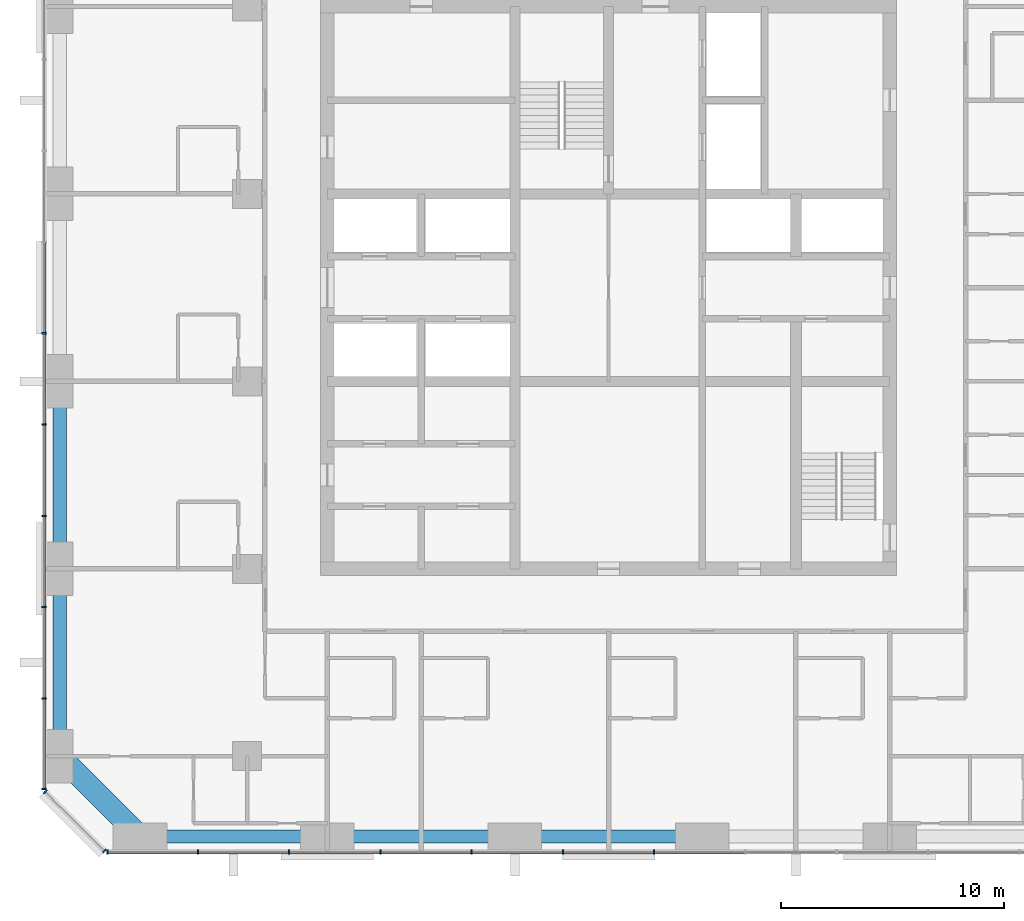
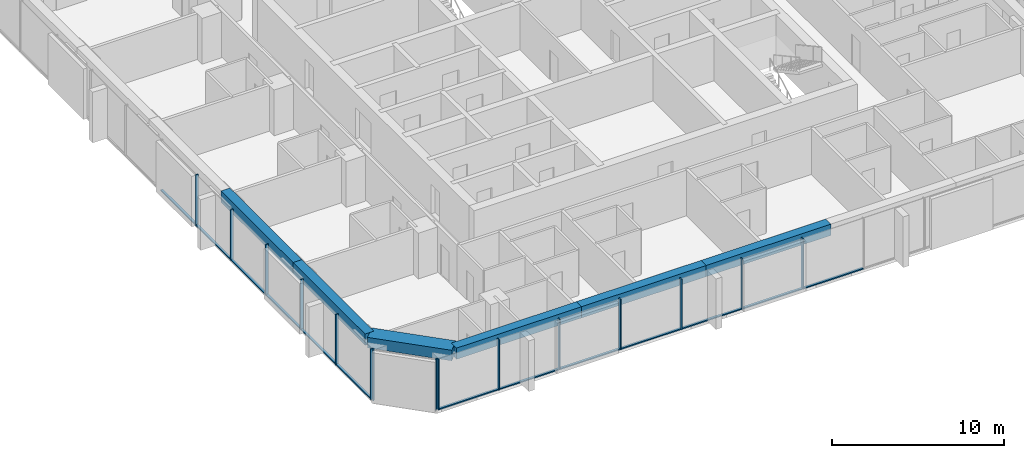
# One storey, part 2 of 13: 28 members, 6 beams, 3 elements without a shape of their own.
"""IFC4 building model written with IfcOpenShell, lengths in metres."""

from ifc_helpers import new_model, si_unit, direction, frame, origin, origin_2d, place, context, subcontext, project, spatial, rectangle, extrude, material, material_profile, profile_set, type_object, element, aggregate, save


model = new_model("IFC4")

# Units and contexts
model_context = context("Model", 3, precision=1e-05, world=origin(), true_north=direction((0.0, 1.0)))
body_context = subcontext(model_context, "Body", "Model", "MODEL_VIEW")
ifc_project = project(units=[si_unit("LENGTHUNIT", "METRE"), si_unit("AREAUNIT", "SQUARE_METRE"), si_unit("VOLUMEUNIT", "CUBIC_METRE"), si_unit("PLANEANGLEUNIT", "RADIAN"), si_unit("MASSUNIT", "GRAM", prefix="KILO")], contexts=[model_context])

# Site, building, storey
site_placement = place(None, origin())
site = spatial("IfcSite", under=ifc_project, at=site_placement, CompositionType="ELEMENT")
building_placement = place(site_placement, origin())
building = spatial("IfcBuilding", under=site, at=building_placement, Name="Dunama Terrace Hotel", CompositionType="ELEMENT")
storey_placement = place(building_placement, frame((0.0, 0.0, 187.800048828125)))
storey = spatial("IfcBuildingStorey", under=building, at=storey_placement, Name="L48", CompositionType="ELEMENT", Elevation=187.800048828125)

# Curtain wall, members
ifc_material_1 = material(Name="Aluminium curtain wall system", Category="aluminium")
curtain_wall_type = type_object("IfcCurtainWallType", Name="Unitised fritted glass wall CW-C", PredefinedType="NOTDEFINED", material=ifc_material_1)
curtain_wall_1_placement = place(storey_placement, origin())
curtain_wall_1 = element("IfcCurtainWall", 1, at=curtain_wall_1_placement, inside=storey, type_object=curtain_wall_type, Name="Unitised fritted glass wall CW-C L48", PredefinedType="NOTDEFINED")
ifc_material_2 = material(Name="Aluminium mullion", Category="aluminium")
ifc_material_profile_1 = material_profile(ifc_material_2, rectangle(XDim=0.070068359375, YDim=0.199951171875, at=origin_2d()), Name="CWC MULLION 70X200")
ifc_profile_set_1 = profile_set([ifc_material_profile_1], Name="Aluminium mullion")
member_type_1 = type_object("IfcMemberType", Name="CWC mullion 70x200", PredefinedType="MULLION", material=ifc_profile_set_1)
member_1_placement = place(storey_placement, frame((6.93505859375, 4.10009765625, 0.0), z_axis=(0.0, 0.0, 1.0), x_axis=(1.0, 0.0, 0.0)))
member_1 = element("IfcMember", 2, at=member_1_placement, type_object=member_type_1, Name="CWC mullion", PredefinedType="MULLION", context=body_context, shape_type="SweptSolid", body=[
    extrude(rectangle(XDim=0.070068359375, YDim=0.199951171875, at=origin_2d()), origin(), (0.0, 0.0, 1.0), 3.599853515625),
])
member_2_placement = place(storey_placement, frame((10.990966796875, 4.10009765625, 0.0), z_axis=(0.0, 0.0, 1.0), x_axis=(1.0, 0.0, 0.0)))
member_2 = element("IfcMember", 3, at=member_2_placement, type_object=member_type_1, Name="CWC mullion", PredefinedType="MULLION", context=body_context, shape_type="SweptSolid", body=[
    extrude(rectangle(XDim=0.070068359375, YDim=0.199951171875, at=origin_2d()), origin(), (0.0, 0.0, 1.0), 3.599853515625),
])
member_3_placement = place(storey_placement, frame((15.08203125, 4.10009765625, 0.0), z_axis=(0.0, 0.0, 1.0), x_axis=(1.0, 0.0, 0.0)))
member_3 = element("IfcMember", 4, at=member_3_placement, type_object=member_type_1, Name="CWC mullion", PredefinedType="MULLION", context=body_context, shape_type="SweptSolid", body=[
    extrude(rectangle(XDim=0.070068359375, YDim=0.199951171875, at=origin_2d()), origin(), (0.0, 0.0, 1.0), 3.599853515625),
])
member_4_placement = place(storey_placement, frame((19.173095703125, 4.10009765625, 0.0), z_axis=(0.0, 0.0, 1.0), x_axis=(1.0, 0.0, 0.0)))
member_4 = element("IfcMember", 5, at=member_4_placement, type_object=member_type_1, Name="CWC mullion", PredefinedType="MULLION", context=body_context, shape_type="SweptSolid", body=[
    extrude(rectangle(XDim=0.070068359375, YDim=0.199951171875, at=origin_2d()), origin(), (0.0, 0.0, 1.0), 3.599853515625),
])
member_5_placement = place(storey_placement, frame((23.263916015625, 4.10009765625, 0.0), z_axis=(0.0, 0.0, 1.0), x_axis=(1.0, 0.0, 0.0)))
member_5 = element("IfcMember", 6, at=member_5_placement, type_object=member_type_1, Name="CWC mullion", PredefinedType="MULLION", context=body_context, shape_type="SweptSolid", body=[
    extrude(rectangle(XDim=0.070068359375, YDim=0.199951171875, at=origin_2d()), origin(), (0.0, 0.0, 1.0), 3.599853515625),
])
member_6_placement = place(storey_placement, frame((27.35498046875, 4.10009765625, 0.0), z_axis=(0.0, 0.0, 1.0), x_axis=(1.0, 0.0, 0.0)))
member_6 = element("IfcMember", 7, at=member_6_placement, type_object=member_type_1, Name="CWC mullion", PredefinedType="MULLION", context=body_context, shape_type="SweptSolid", body=[
    extrude(rectangle(XDim=0.070068359375, YDim=0.199951171875, at=origin_2d()), origin(), (0.0, 0.0, 1.0), 3.599853515625),
])
member_7_placement = place(storey_placement, frame((31.445068359375, 4.10009765625, 0.0), z_axis=(0.0, 0.0, 1.0), x_axis=(1.0, 0.0, 0.0)))
member_7 = element("IfcMember", 8, at=member_7_placement, type_object=member_type_1, Name="CWC mullion", PredefinedType="MULLION", context=body_context, shape_type="SweptSolid", body=[
    extrude(rectangle(XDim=0.070068359375, YDim=0.199951171875, at=origin_2d()), origin(), (0.0, 0.0, 1.0), 3.599853515625),
])

curtain_wall_2_placement = place(storey_placement, origin())
curtain_wall_2 = element("IfcCurtainWall", 9, at=curtain_wall_2_placement, inside=storey, type_object=curtain_wall_type, Name="Unitised fritted glass wall CW-C L48", PredefinedType="NOTDEFINED")
member_8_placement = place(storey_placement, frame((4.10009765625, 27.35498046875, 0.0), z_axis=(0.0, 0.0, 1.0), x_axis=(0.0, -1.0, 0.0)))
member_8 = element("IfcMember", 10, at=member_8_placement, type_object=member_type_1, Name="CWC mullion", PredefinedType="MULLION", context=body_context, shape_type="SweptSolid", body=[
    extrude(rectangle(XDim=0.070068359375, YDim=0.199951171875, at=origin_2d()), origin(), (0.0, 0.0, 1.0), 3.599853515625),
])
member_9_placement = place(storey_placement, frame((4.10009765625, 23.263916015625, 0.0), z_axis=(0.0, 0.0, 1.0), x_axis=(0.0, -1.0, 0.0)))
member_9 = element("IfcMember", 11, at=member_9_placement, type_object=member_type_1, Name="CWC mullion", PredefinedType="MULLION", context=body_context, shape_type="SweptSolid", body=[
    extrude(rectangle(XDim=0.070068359375, YDim=0.199951171875, at=origin_2d()), origin(), (0.0, 0.0, 1.0), 3.599853515625),
])
member_10_placement = place(storey_placement, frame((4.10009765625, 19.173095703125, 0.0), z_axis=(0.0, 0.0, 1.0), x_axis=(0.0, -1.0, 0.0)))
member_10 = element("IfcMember", 12, at=member_10_placement, type_object=member_type_1, Name="CWC mullion", PredefinedType="MULLION", context=body_context, shape_type="SweptSolid", body=[
    extrude(rectangle(XDim=0.070068359375, YDim=0.199951171875, at=origin_2d()), origin(), (0.0, 0.0, 1.0), 3.599853515625),
])
member_11_placement = place(storey_placement, frame((4.10009765625, 15.08203125, 0.0), z_axis=(0.0, 0.0, 1.0), x_axis=(0.0, -1.0, 0.0)))
member_11 = element("IfcMember", 13, at=member_11_placement, type_object=member_type_1, Name="CWC mullion", PredefinedType="MULLION", context=body_context, shape_type="SweptSolid", body=[
    extrude(rectangle(XDim=0.070068359375, YDim=0.199951171875, at=origin_2d()), origin(), (0.0, 0.0, 1.0), 3.599853515625),
])
member_12_placement = place(storey_placement, frame((4.10009765625, 10.990966796875, 0.0), z_axis=(0.0, 0.0, 1.0), x_axis=(0.0, -1.0, 0.0)))
member_12 = element("IfcMember", 14, at=member_12_placement, type_object=member_type_1, Name="CWC mullion", PredefinedType="MULLION", context=body_context, shape_type="SweptSolid", body=[
    extrude(rectangle(XDim=0.070068359375, YDim=0.199951171875, at=origin_2d()), origin(), (0.0, 0.0, 1.0), 3.599853515625),
])
member_13_placement = place(storey_placement, frame((4.10009765625, 6.93505859375, 0.0), z_axis=(0.0, 0.0, 1.0), x_axis=(0.0, -1.0, 0.0)))
member_13 = element("IfcMember", 15, at=member_13_placement, type_object=member_type_1, Name="CWC mullion", PredefinedType="MULLION", context=body_context, shape_type="SweptSolid", body=[
    extrude(rectangle(XDim=0.070068359375, YDim=0.199951171875, at=origin_2d()), origin(), (0.0, 0.0, 1.0), 3.599853515625),
])

curtain_wall_3_placement = place(storey_placement, origin())
curtain_wall_3 = element("IfcCurtainWall", 16, at=curtain_wall_3_placement, inside=storey, type_object=curtain_wall_type, Name="Unitised fritted glass wall CW-C L48", PredefinedType="NOTDEFINED")
member_14_placement = place(storey_placement, frame((4.154052734375, 6.804931640625, 0.0), z_axis=(0.0, 0.0, 1.0), x_axis=(0.707106781187, -0.707106781187, 0.0)))
member_14 = element("IfcMember", 17, at=member_14_placement, type_object=member_type_1, Name="CWC mullion", PredefinedType="MULLION", context=body_context, shape_type="SweptSolid", body=[
    extrude(rectangle(XDim=0.070068359375, YDim=0.199951171875, at=origin_2d()), origin(), (0.0, 0.0, 1.0), 3.599853515625),
])
member_15_placement = place(storey_placement, frame((6.804931640625, 4.154052734375, 0.0), z_axis=(0.0, 0.0, 1.0), x_axis=(0.707106781187, -0.707106781187, 0.0)))
member_15 = element("IfcMember", 18, at=member_15_placement, type_object=member_type_1, Name="CWC mullion", PredefinedType="MULLION", context=body_context, shape_type="SweptSolid", body=[
    extrude(rectangle(XDim=0.070068359375, YDim=0.199951171875, at=origin_2d()), origin(), (0.0, 0.0, 1.0), 3.599853515625),
])
aggregate(curtain_wall_3, [member_14, member_15])

# Member
ifc_material_3 = material(Name="Aluminium transom", Category="aluminium")
ifc_material_profile_2 = material_profile(ifc_material_3, rectangle(XDim=0.159912109375, YDim=0.080078125, at=origin_2d()), Name="CWC TRANSOM 160X80")
ifc_profile_set_2 = profile_set([ifc_material_profile_2], Name="Aluminium transom")
member_type_2 = type_object("IfcMemberType", Name="CWC transom 160x80", PredefinedType="USERDEFINED", material=ifc_profile_set_2)
member_16_placement = place(storey_placement, frame((6.969970703125, 4.10009765625, 0.0400390625), z_axis=(1.0, 0.0, 0.0), x_axis=(0.0, 1.0, 0.0)))
member_16 = element("IfcMember", 19, at=member_16_placement, type_object=member_type_2, Name="CWC transom", ObjectType="TRANSOM", PredefinedType="USERDEFINED", context=body_context, shape_type="SweptSolid", body=[
    extrude(rectangle(XDim=0.159912109375, YDim=0.080078125, at=origin_2d()), origin(), (0.0, 0.0, 1.0), 3.986083984375),
])

member_17_placement = place(storey_placement, frame((11.02587890625, 4.10009765625, 0.0400390625), z_axis=(1.0, 0.0, 0.0), x_axis=(0.0, 1.0, 0.0)))
member_17 = element("IfcMember", 20, at=member_17_placement, type_object=member_type_2, Name="CWC transom", ObjectType="TRANSOM", PredefinedType="USERDEFINED", context=body_context, shape_type="SweptSolid", body=[
    extrude(rectangle(XDim=0.159912109375, YDim=0.080078125, at=origin_2d()), origin(), (0.0, 0.0, 1.0), 4.021240234375),
])

member_18_placement = place(storey_placement, frame((15.116943359375, 4.10009765625, 0.0400390625), z_axis=(1.0, 0.0, 0.0), x_axis=(0.0, 1.0, 0.0)))
member_18 = element("IfcMember", 21, at=member_18_placement, type_object=member_type_2, Name="CWC transom", ObjectType="TRANSOM", PredefinedType="USERDEFINED", context=body_context, shape_type="SweptSolid", body=[
    extrude(rectangle(XDim=0.159912109375, YDim=0.080078125, at=origin_2d()), origin(), (0.0, 0.0, 1.0), 4.02099609375),
])

member_19_placement = place(storey_placement, frame((19.2080078125, 4.10009765625, 0.0400390625), z_axis=(1.0, 0.0, 0.0), x_axis=(0.0, 1.0, 0.0)))
member_19 = element("IfcMember", 22, at=member_19_placement, type_object=member_type_2, Name="CWC transom", ObjectType="TRANSOM", PredefinedType="USERDEFINED", context=body_context, shape_type="SweptSolid", body=[
    extrude(rectangle(XDim=0.159912109375, YDim=0.080078125, at=origin_2d()), origin(), (0.0, 0.0, 1.0), 4.02099609375),
])

member_20_placement = place(storey_placement, frame((23.299072265625, 4.10009765625, 0.0400390625), z_axis=(1.0, 0.0, 0.0), x_axis=(0.0, 1.0, 0.0)))
member_20 = element("IfcMember", 23, at=member_20_placement, type_object=member_type_2, Name="CWC transom", ObjectType="TRANSOM", PredefinedType="USERDEFINED", context=body_context, shape_type="SweptSolid", body=[
    extrude(rectangle(XDim=0.159912109375, YDim=0.080078125, at=origin_2d()), origin(), (0.0, 0.0, 1.0), 4.02099609375),
])

member_21_placement = place(storey_placement, frame((27.389892578125, 4.10009765625, 0.0400390625), z_axis=(1.0, 0.0, 0.0), x_axis=(0.0, 1.0, 0.0)))
member_21 = element("IfcMember", 24, at=member_21_placement, type_object=member_type_2, Name="CWC transom", ObjectType="TRANSOM", PredefinedType="USERDEFINED", context=body_context, shape_type="SweptSolid", body=[
    extrude(rectangle(XDim=0.159912109375, YDim=0.080078125, at=origin_2d()), origin(), (0.0, 0.0, 1.0), 4.02001953125),
])

member_22_placement = place(storey_placement, frame((31.47998046875, 4.10009765625, 0.0400390625), z_axis=(1.0, 0.0, 0.0), x_axis=(0.0, 1.0, 0.0)))
member_22 = element("IfcMember", 25, at=member_22_placement, type_object=member_type_2, Name="CWC transom", ObjectType="TRANSOM", PredefinedType="USERDEFINED", context=body_context, shape_type="SweptSolid", body=[
    extrude(rectangle(XDim=0.159912109375, YDim=0.080078125, at=origin_2d()), origin(), (0.0, 0.0, 1.0), 4.02099609375),
])

aggregate(curtain_wall_1, [member_1, member_2, member_3, member_4, member_5, member_6, member_7, member_16, member_17, member_18, member_19, member_20, member_21, member_22])

member_23_placement = place(storey_placement, frame((4.10009765625, 31.409912109375, 0.0400390625), z_axis=(0.0, -1.0, 0.0), x_axis=(1.0, 0.0, 0.0)))
member_23 = element("IfcMember", 26, at=member_23_placement, type_object=member_type_2, Name="CWC transom", ObjectType="TRANSOM", PredefinedType="USERDEFINED", context=body_context, shape_type="SweptSolid", body=[
    extrude(rectangle(XDim=0.159912109375, YDim=0.080078125, at=origin_2d()), origin(), (0.0, 0.0, 1.0), 4.02001953125),
])

member_24_placement = place(storey_placement, frame((4.10009765625, 27.320068359375, 0.0400390625), z_axis=(0.0, -1.0, 0.0), x_axis=(1.0, 0.0, 0.0)))
member_24 = element("IfcMember", 27, at=member_24_placement, type_object=member_type_2, Name="CWC transom", ObjectType="TRANSOM", PredefinedType="USERDEFINED", context=body_context, shape_type="SweptSolid", body=[
    extrude(rectangle(XDim=0.159912109375, YDim=0.080078125, at=origin_2d()), origin(), (0.0, 0.0, 1.0), 4.02099609375),
])

member_25_placement = place(storey_placement, frame((4.10009765625, 23.22900390625, 0.0400390625), z_axis=(0.0, -1.0, 0.0), x_axis=(1.0, 0.0, 0.0)))
member_25 = element("IfcMember", 28, at=member_25_placement, type_object=member_type_2, Name="CWC transom", ObjectType="TRANSOM", PredefinedType="USERDEFINED", context=body_context, shape_type="SweptSolid", body=[
    extrude(rectangle(XDim=0.159912109375, YDim=0.080078125, at=origin_2d()), origin(), (0.0, 0.0, 1.0), 4.02099609375),
])

member_26_placement = place(storey_placement, frame((4.10009765625, 19.137939453125, 0.0400390625), z_axis=(0.0, -1.0, 0.0), x_axis=(1.0, 0.0, 0.0)))
member_26 = element("IfcMember", 29, at=member_26_placement, type_object=member_type_2, Name="CWC transom", ObjectType="TRANSOM", PredefinedType="USERDEFINED", context=body_context, shape_type="SweptSolid", body=[
    extrude(rectangle(XDim=0.159912109375, YDim=0.080078125, at=origin_2d()), origin(), (0.0, 0.0, 1.0), 4.02099609375),
])

member_27_placement = place(storey_placement, frame((4.10009765625, 15.047119140625, 0.0400390625), z_axis=(0.0, -1.0, 0.0), x_axis=(1.0, 0.0, 0.0)))
member_27 = element("IfcMember", 30, at=member_27_placement, type_object=member_type_2, Name="CWC transom", ObjectType="TRANSOM", PredefinedType="USERDEFINED", context=body_context, shape_type="SweptSolid", body=[
    extrude(rectangle(XDim=0.159912109375, YDim=0.080078125, at=origin_2d()), origin(), (0.0, 0.0, 1.0), 4.021240234375),
])

member_28_placement = place(storey_placement, frame((4.10009765625, 10.9560546875, 0.0400390625), z_axis=(0.0, -1.0, 0.0), x_axis=(1.0, 0.0, 0.0)))
member_28 = element("IfcMember", 31, at=member_28_placement, type_object=member_type_2, Name="CWC transom", ObjectType="TRANSOM", PredefinedType="USERDEFINED", context=body_context, shape_type="SweptSolid", body=[
    extrude(rectangle(XDim=0.159912109375, YDim=0.080078125, at=origin_2d()), origin(), (0.0, 0.0, 1.0), 3.986083984375),
])

aggregate(curtain_wall_2, [member_8, member_9, member_10, member_11, member_12, member_13, member_23, member_24, member_25, member_26, member_27, member_28])

# Beams
ifc_material_4 = material(Name="Concrete C50/60", Category="concrete")
ifc_material_profile_3 = material_profile(ifc_material_4, rectangle(XDim=1.0, YDim=0.75, at=origin_2d()), Name="RC 1000x750")
ifc_profile_set_3 = profile_set([ifc_material_profile_3], Name="Concrete C50/60")
beam_type_1 = type_object("IfcBeamType", Name="Edge beam RC 1000x750", PredefinedType="SPANDREL", material=ifc_profile_set_3)
beam_1_placement = place(storey_placement, frame((8.39990234375, 4.800048828125, 3.224853515625), z_axis=(-0.707106781187, 0.707106781187, 0.0), x_axis=(-0.707106781187, -0.707106781187, 0.0)))
element("IfcBeam", 32, at=beam_1_placement, inside=storey, type_object=beam_type_1, Name="Corner edge beam under L49", PredefinedType="SPANDREL", context=body_context, shape_type="SweptSolid", body=[
    extrude(rectangle(XDim=1.0, YDim=0.75, at=origin_2d()), origin(), (0.0, 0.0, 1.0), 5.091064453125),
])
ifc_material_5 = material(Name="Concrete C40/50", Category="concrete")
ifc_material_profile_4 = material_profile(ifc_material_5, rectangle(XDim=0.60009765625, YDim=0.800048828125, at=origin_2d()), Name="RC 600x800")
ifc_profile_set_4 = profile_set([ifc_material_profile_4], Name="Concrete C40/50")
beam_type_2 = type_object("IfcBeamType", Name="Edge beam RC 600x800", PredefinedType="SPANDREL", material=ifc_profile_set_4)
beam_2_placement = place(storey_placement, frame((4.800048828125, 8.39990234375, 3.199951171875), z_axis=(0.0, 1.0, 0.0), x_axis=(-1.0, 0.0, 0.0)))
element("IfcBeam", 33, at=beam_2_placement, inside=storey, type_object=beam_type_2, Name="Edge beam under L49", PredefinedType="SPANDREL", context=body_context, shape_type="SweptSolid", body=[
    extrude(rectangle(XDim=0.60009765625, YDim=0.800048828125, at=origin_2d()), origin(), (0.0, 0.0, 1.0), 8.400146484375),
])
beam_3_placement = place(storey_placement, frame((4.800048828125, 16.800048828125, 3.199951171875), z_axis=(0.0, 1.0, 0.0), x_axis=(-1.0, 0.0, 0.0)))
element("IfcBeam", 34, at=beam_3_placement, inside=storey, type_object=beam_type_2, Name="Edge beam under L49", PredefinedType="SPANDREL", context=body_context, shape_type="SweptSolid", body=[
    extrude(rectangle(XDim=0.60009765625, YDim=0.800048828125, at=origin_2d()), origin(), (0.0, 0.0, 1.0), 8.39990234375),
])
beam_4_placement = place(storey_placement, frame((8.39990234375, 4.800048828125, 3.199951171875), z_axis=(1.0, 0.0, 0.0), x_axis=(0.0, 1.0, 0.0)))
element("IfcBeam", 35, at=beam_4_placement, inside=storey, type_object=beam_type_2, Name="Edge beam under L49", PredefinedType="SPANDREL", context=body_context, shape_type="SweptSolid", body=[
    extrude(rectangle(XDim=0.60009765625, YDim=0.800048828125, at=origin_2d()), origin(), (0.0, 0.0, 1.0), 8.400146484375),
])
beam_5_placement = place(storey_placement, frame((16.800048828125, 4.800048828125, 3.199951171875), z_axis=(1.0, 0.0, 0.0), x_axis=(0.0, 1.0, 0.0)))
element("IfcBeam", 36, at=beam_5_placement, inside=storey, type_object=beam_type_2, Name="Edge beam under L49", PredefinedType="SPANDREL", context=body_context, shape_type="SweptSolid", body=[
    extrude(rectangle(XDim=0.60009765625, YDim=0.800048828125, at=origin_2d()), origin(), (0.0, 0.0, 1.0), 8.39990234375),
])
beam_6_placement = place(storey_placement, frame((25.199951171875, 4.800048828125, 3.199951171875), z_axis=(1.0, 0.0, 0.0), x_axis=(0.0, 1.0, 0.0)))
element("IfcBeam", 37, at=beam_6_placement, inside=storey, type_object=beam_type_2, Name="Edge beam under L49", PredefinedType="SPANDREL", context=body_context, shape_type="SweptSolid", body=[
    extrude(rectangle(XDim=0.60009765625, YDim=0.800048828125, at=origin_2d()), origin(), (0.0, 0.0, 1.0), 8.400146484375),
])

save(model, "model.ifc")
